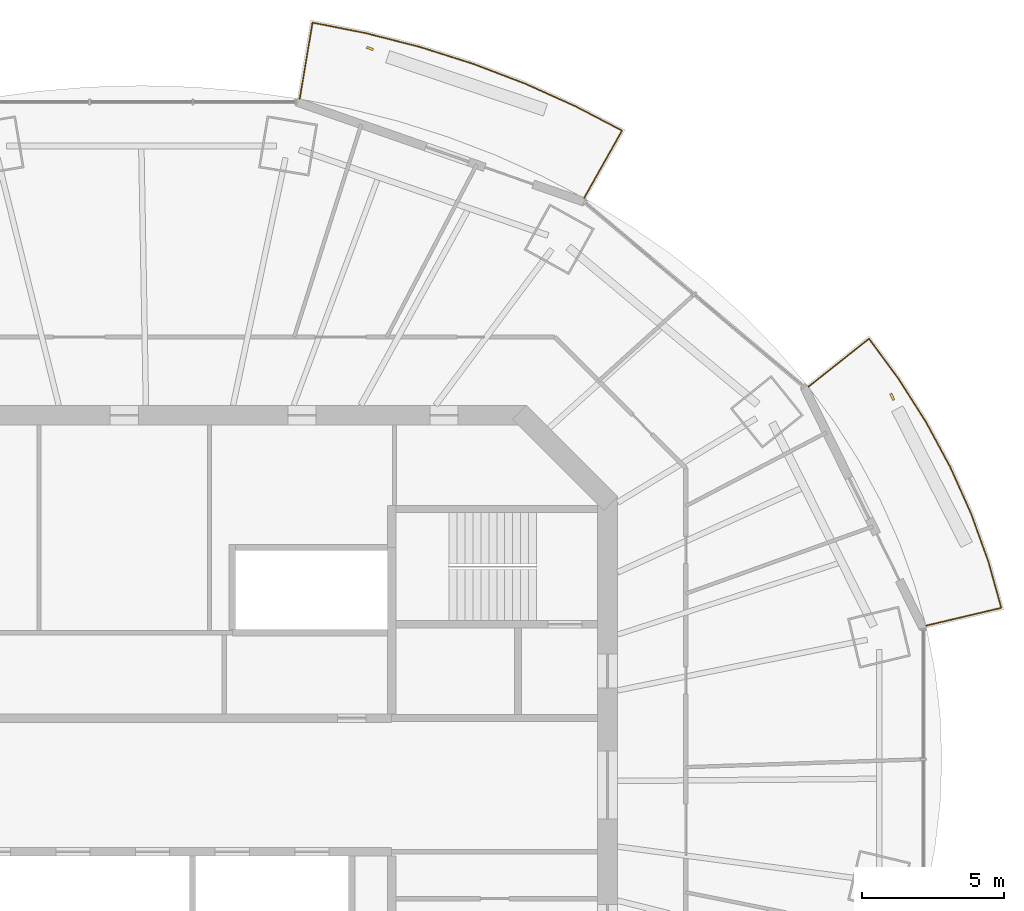
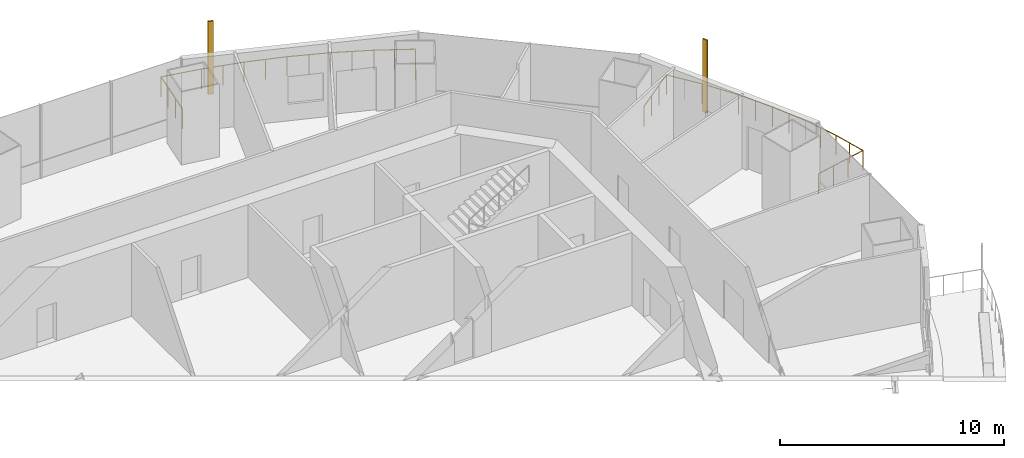
# One storey, part 15 of 16: 2 railings, 2 shading devices.
"""IFC4 building model written with IfcOpenShell, lengths in metres."""

from ifc_helpers import new_model, si_unit, direction, frame, origin, origin_2d, place, context, subcontext, project, spatial, rectangle, circle, extrude, material, material_profile, profile_set, type_object, element, save


model = new_model("IFC4")

# Units and contexts
model_context = context("Model", 3, precision=1e-05, world=origin(), true_north=direction((0.0, 1.0)))
body_context = subcontext(model_context, "Body", "Model", "MODEL_VIEW")
ifc_project = project(units=[si_unit("LENGTHUNIT", "METRE"), si_unit("AREAUNIT", "SQUARE_METRE"), si_unit("VOLUMEUNIT", "CUBIC_METRE"), si_unit("PLANEANGLEUNIT", "RADIAN"), si_unit("MASSUNIT", "GRAM", prefix="KILO")], contexts=[model_context])

# Site, building, storey
site_placement = place(None, origin())
site = spatial("IfcSite", under=ifc_project, at=site_placement, CompositionType="ELEMENT")
building_placement = place(site_placement, origin())
building = spatial("IfcBuilding", under=site, at=building_placement, Name="Marenthal Gate Tower", CompositionType="ELEMENT")
storey_placement = place(building_placement, frame((0.0, 0.0, 309.39990234375)))
storey = spatial("IfcBuildingStorey", under=building, at=storey_placement, Name="L69", CompositionType="ELEMENT", Elevation=309.39990234375)

# Railings
ifc_material_1 = material(Name="Stainless steel", Category="steel")
railing_type = type_object("IfcRailingType", Name="Balcony guard 1100", PredefinedType="GUARDRAIL", material=ifc_material_1)
railing_1_placement = place(storey_placement, frame((23.058837890625, 14.0, 0.0)))
element("IfcRailing", 1, at=railing_1_placement, inside=storey, type_object=railing_type, Name="Balcony guard L69 bay 1", PredefinedType="GUARDRAIL", context=body_context, shape_type="SweptSolid", body=[
    extrude(circle(Radius=0.02392578125, at=origin_2d()), frame((0.0, 0.0, 1.076171875), z_axis=(0.783413837471, 0.621328215925, -0.014628990206), x_axis=(-0.621394711002, 0.78349767909, 0.0)), (0.0, 0.0, 1.0), 2.72021484375),
    extrude(circle(Radius=0.02392578125, at=origin_2d()), frame((2.131103515625, 1.690185546875, 1.0361328125), z_axis=(0.593022623899, -0.805185796909, 0.0), x_axis=(0.805185796909, 0.593022623899, 0.0)), (0.0, 0.0, 1.0), 1.746826171875),
    extrude(circle(Radius=0.02392578125, at=origin_2d()), frame((3.1669921875, 0.28369140625, 1.0361328125), z_axis=(0.536108654335, -0.844148986108, 0.0), x_axis=(0.844148986108, 0.536108654335, 0.0)), (0.0, 0.0, 1.0), 1.8134765625),
    extrude(circle(Radius=0.02392578125, at=origin_2d()), frame((4.13916015625, -1.2470703125, 1.0361328125), z_axis=(0.473954337588, -0.880549422736, 0.0), x_axis=(0.880549422736, 0.473954337588, 0.0)), (0.0, 0.0, 1.0), 1.80126953125),
    extrude(circle(Radius=0.02392578125, at=origin_2d()), frame((4.992919921875, -2.833251953125, 1.0361328125), z_axis=(0.408186684853, -0.912898477547, 0.0), x_axis=(0.912898477547, 0.408186684853, 0.0)), (0.0, 0.0, 1.0), 1.790771484375),
    extrude(circle(Radius=0.02392578125, at=origin_2d()), frame((5.723876953125, -4.468017578125, 1.0361328125), z_axis=(0.33912231199, -0.940742290699, 0.0), x_axis=(0.940742290699, 0.33912231199, 0.0)), (0.0, 0.0, 1.0), 1.781005859375),
    extrude(circle(Radius=0.02392578125, at=origin_2d()), frame((6.327880859375, -6.1435546875, 1.0361328125), z_axis=(0.268699441424, -0.963224070598, 0.0), x_axis=(0.963224070598, 0.268699441424, 0.0)), (0.0, 0.0, 1.0), 1.693603515625),
    extrude(circle(Radius=0.02392578125, at=origin_2d()), frame((6.782958984375, -7.77490234375, 1.0361328125), z_axis=(-0.973118453647, -0.22984011434, 0.014628636719), x_axis=(0.229864710837, -0.973222592582, 0.0)), (0.0, 0.0, 1.0), 2.720458984375),
    extrude(circle(Radius=0.02099609375, at=origin_2d()), origin(), (0.0, 0.0, 1.0), 1.052001953125),
    extrude(circle(Radius=0.02099609375, at=origin_2d()), frame((0.71044921875, 0.5634765625, -0.01318359375)), (0.0, 0.0, 1.0), 1.052001953125),
    extrude(circle(Radius=0.02099609375, at=origin_2d()), frame((1.420654296875, 1.126708984375, -0.026611328125)), (0.0, 0.0, 1.0), 1.052001953125),
    extrude(circle(Radius=0.02099609375, at=origin_2d()), frame((2.131103515625, 1.690185546875, -0.039794921875)), (0.0, 0.0, 1.0), 1.052001953125),
    extrude(circle(Radius=0.02099609375, at=origin_2d()), frame((2.64892578125, 0.98681640625, -0.039794921875)), (0.0, 0.0, 1.0), 1.052001953125),
    extrude(circle(Radius=0.02099609375, at=origin_2d()), frame((3.1669921875, 0.28369140625, -0.039794921875)), (0.0, 0.0, 1.0), 1.052001953125),
    extrude(circle(Radius=0.02099609375, at=origin_2d()), frame((3.653076171875, -0.481689453125, -0.039794921875)), (0.0, 0.0, 1.0), 1.052001953125),
    extrude(circle(Radius=0.02099609375, at=origin_2d()), frame((4.13916015625, -1.2470703125, -0.039794921875)), (0.0, 0.0, 1.0), 1.052001953125),
    extrude(circle(Radius=0.02099609375, at=origin_2d()), frame((4.56591796875, -2.0400390625, -0.039794921875)), (0.0, 0.0, 1.0), 1.052001953125),
    extrude(circle(Radius=0.02099609375, at=origin_2d()), frame((4.992919921875, -2.833251953125, -0.039794921875)), (0.0, 0.0, 1.0), 1.052001953125),
    extrude(circle(Radius=0.02099609375, at=origin_2d()), frame((5.3583984375, -3.650634765625, -0.039794921875)), (0.0, 0.0, 1.0), 1.052001953125),
    extrude(circle(Radius=0.02099609375, at=origin_2d()), frame((5.723876953125, -4.468017578125, -0.039794921875)), (0.0, 0.0, 1.0), 1.052001953125),
    extrude(circle(Radius=0.02099609375, at=origin_2d()), frame((6.02587890625, -5.3056640625, -0.039794921875)), (0.0, 0.0, 1.0), 1.052001953125),
    extrude(circle(Radius=0.02099609375, at=origin_2d()), frame((6.327880859375, -6.1435546875, -0.039794921875)), (0.0, 0.0, 1.0), 1.052001953125),
    extrude(circle(Radius=0.02099609375, at=origin_2d()), frame((6.555419921875, -6.959228515625, -0.039794921875)), (0.0, 0.0, 1.0), 1.052001953125),
    extrude(circle(Radius=0.02099609375, at=origin_2d()), frame((6.782958984375, -7.77490234375, -0.039794921875)), (0.0, 0.0, 1.0), 1.052001953125),
    extrude(circle(Radius=0.02099609375, at=origin_2d()), frame((5.900634765625, -7.9833984375, -0.026611328125)), (0.0, 0.0, 1.0), 1.052001953125),
    extrude(circle(Radius=0.02099609375, at=origin_2d()), frame((5.01806640625, -8.191650390625, -0.01318359375)), (0.0, 0.0, 1.0), 1.052001953125),
    extrude(circle(Radius=0.02099609375, at=origin_2d()), frame((4.1357421875, -8.400146484375, 0.0)), (0.0, 0.0, 1.0), 1.052001953125),
])
railing_2_placement = place(storey_placement, frame((5.17138671875, 24.12353515625, 0.0)))
element("IfcRailing", 2, at=railing_2_placement, inside=storey, type_object=railing_type, Name="Balcony guard L69 bay 3", PredefinedType="GUARDRAIL", context=body_context, shape_type="SweptSolid", body=[
    extrude(circle(Radius=0.02392578125, at=origin_2d()), frame((0.0, 0.0, 1.076171875), z_axis=(0.165225448315, 0.986147325412, -0.014628869134), x_axis=(-0.986252861995, 0.165243130591, 0.0)), (0.0, 0.0, 1.0), 2.72021484375),
    extrude(circle(Radius=0.02392578125, at=origin_2d()), frame((0.449462890625, 2.6826171875, 1.0361328125), z_axis=(0.981061826101, -0.193694846002, 0.0), x_axis=(0.193694846002, 0.981061826101, 0.0)), (0.0, 0.0, 1.0), 1.900634765625),
    extrude(circle(Radius=0.02392578125, at=origin_2d()), frame((2.314208984375, 2.314453125, 1.0361328125), z_axis=(0.968929698625, -0.247336287518, 0.0), x_axis=(0.247336287518, 0.968929698625, 0.0)), (0.0, 0.0, 1.0), 1.97314453125),
    extrude(circle(Radius=0.02392578125, at=origin_2d()), frame((4.22607421875, 1.826416015625, 1.0361328125), z_axis=(0.953300483084, -0.302023490729, 0.0), x_axis=(0.302023490729, 0.953300483084, 0.0)), (0.0, 0.0, 1.0), 1.96435546875),
    extrude(circle(Radius=0.02392578125, at=origin_2d()), frame((6.0986328125, 1.233154296875, 1.0361328125), z_axis=(0.93439466909, -0.356239529497, 0.0), x_axis=(0.356239529497, 0.93439466909, 0.0)), (0.0, 0.0, 1.0), 1.953857421875),
    extrude(circle(Radius=0.02392578125, at=origin_2d()), frame((7.92431640625, 0.537109375, 1.0361328125), z_axis=(0.911961495796, -0.410275797709, 0.0), x_axis=(0.410275797709, 0.911961495796, 0.0)), (0.0, 0.0, 1.0), 1.941650390625),
    extrude(circle(Radius=0.02392578125, at=origin_2d()), frame((9.695068359375, -0.259521484375, 1.0361328125), z_axis=(0.88661074156, -0.462516370467, 0.0), x_axis=(0.462516370467, 0.88661074156, 0.0)), (0.0, 0.0, 1.0), 1.84912109375),
    extrude(circle(Radius=0.02392578125, at=origin_2d()), frame((11.33447265625, -1.11474609375, 1.0361328125), z_axis=(-0.490391992538, -0.871379182934, 0.014629190114), x_axis=(0.871472441229, -0.490444476143, 0.0)), (0.0, 0.0, 1.0), 2.72021484375),
    extrude(circle(Radius=0.02099609375, at=origin_2d()), origin(), (0.0, 0.0, 1.0), 1.052001953125),
    extrude(circle(Radius=0.02099609375, at=origin_2d()), frame((0.14990234375, 0.894287109375, -0.01318359375)), (0.0, 0.0, 1.0), 1.052001953125),
    extrude(circle(Radius=0.02099609375, at=origin_2d()), frame((0.299560546875, 1.788330078125, -0.026611328125)), (0.0, 0.0, 1.0), 1.052001953125),
    extrude(circle(Radius=0.02099609375, at=origin_2d()), frame((0.449462890625, 2.6826171875, -0.039794921875)), (0.0, 0.0, 1.0), 1.052001953125),
    extrude(circle(Radius=0.02099609375, at=origin_2d()), frame((1.3818359375, 2.49853515625, -0.039794921875)), (0.0, 0.0, 1.0), 1.052001953125),
    extrude(circle(Radius=0.02099609375, at=origin_2d()), frame((2.314208984375, 2.314453125, -0.039794921875)), (0.0, 0.0, 1.0), 1.052001953125),
    extrude(circle(Radius=0.02099609375, at=origin_2d()), frame((3.27001953125, 2.0703125, -0.039794921875)), (0.0, 0.0, 1.0), 1.052001953125),
    extrude(circle(Radius=0.02099609375, at=origin_2d()), frame((4.22607421875, 1.826416015625, -0.039794921875)), (0.0, 0.0, 1.0), 1.052001953125),
    extrude(circle(Radius=0.02099609375, at=origin_2d()), frame((5.162353515625, 1.52978515625, -0.039794921875)), (0.0, 0.0, 1.0), 1.052001953125),
    extrude(circle(Radius=0.02099609375, at=origin_2d()), frame((6.0986328125, 1.233154296875, -0.039794921875)), (0.0, 0.0, 1.0), 1.052001953125),
    extrude(circle(Radius=0.02099609375, at=origin_2d()), frame((7.011474609375, 0.88525390625, -0.039794921875)), (0.0, 0.0, 1.0), 1.052001953125),
    extrude(circle(Radius=0.02099609375, at=origin_2d()), frame((7.92431640625, 0.537109375, -0.039794921875)), (0.0, 0.0, 1.0), 1.052001953125),
    extrude(circle(Radius=0.02099609375, at=origin_2d()), frame((8.8095703125, 0.138671875, -0.039794921875)), (0.0, 0.0, 1.0), 1.052001953125),
    extrude(circle(Radius=0.02099609375, at=origin_2d()), frame((9.695068359375, -0.259521484375, -0.039794921875)), (0.0, 0.0, 1.0), 1.052001953125),
    extrude(circle(Radius=0.02099609375, at=origin_2d()), frame((10.5146484375, -0.68701171875, -0.039794921875)), (0.0, 0.0, 1.0), 1.052001953125),
    extrude(circle(Radius=0.02099609375, at=origin_2d()), frame((11.33447265625, -1.11474609375, -0.039794921875)), (0.0, 0.0, 1.0), 1.052001953125),
    extrude(circle(Radius=0.02099609375, at=origin_2d()), frame((10.889892578125, -1.90478515625, -0.026611328125)), (0.0, 0.0, 1.0), 1.052001953125),
    extrude(circle(Radius=0.02099609375, at=origin_2d()), frame((10.445068359375, -2.695068359375, -0.01318359375)), (0.0, 0.0, 1.0), 1.052001953125),
    extrude(circle(Radius=0.02099609375, at=origin_2d()), frame((10.00048828125, -3.485107421875, 0.0)), (0.0, 0.0, 1.0), 1.052001953125),
])

# Shading devices
ifc_material_2 = material(Name="Terracotta", Category="masonry")
ifc_material_profile = material_profile(ifc_material_2, rectangle(XDim=0.25, YDim=0.080078125, at=origin_2d()), Name="Terracotta baguette 250x80")
ifc_profile_set = profile_set([ifc_material_profile], Name="Terracotta")
shading_device_type = type_object("IfcShadingDeviceType", Name="Terracotta BAGUETTE SCREEN 250x80", PredefinedType="USERDEFINED", material=ifc_profile_set)
for number, where, z_axis, x_axis, name in (
    (3, (26.009765625, 13.644775390625, -0.039794921875), (0.0, 0.0, 1.0), (-0.441517596382, 0.897252591016, 0.0), "Terracotta BAGUETTE L69 bay 1R"),
    (4, (7.64013671875, 25.897705078125, -0.039794921875), (0.0, 0.0, 1.0), (-0.944249095616, 0.329231902203, 0.0), "Terracotta BAGUETTE L69 bay 3R"),
):
    element("IfcShadingDevice", number, at=place(storey_placement, frame(where, z_axis=z_axis, x_axis=x_axis)), inside=storey, type_object=shading_device_type, Name=name, ObjectType="BAGUETTE SCREEN", PredefinedType="USERDEFINED", context=body_context, shape_type="SweptSolid", body=[
        extrude(rectangle(XDim=0.25, YDim=0.080078125, at=origin_2d()), origin(), (0.0, 0.0, 1.0), 3.969970703125),
    ])

save(model, "model.ifc")
